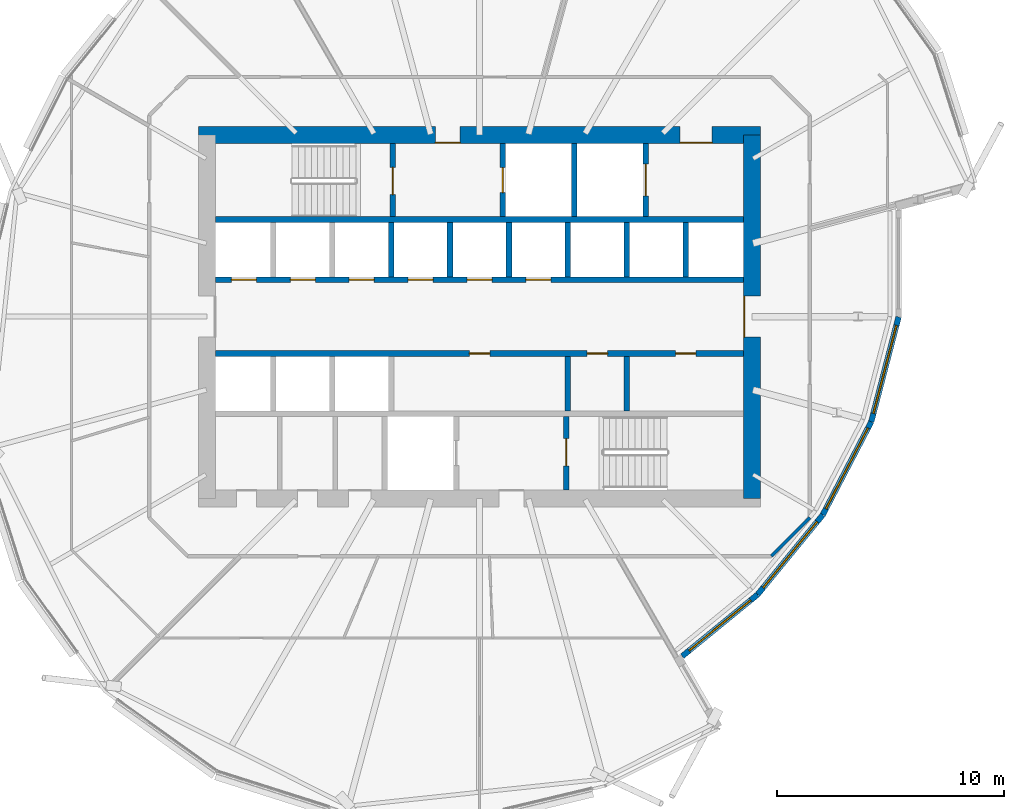
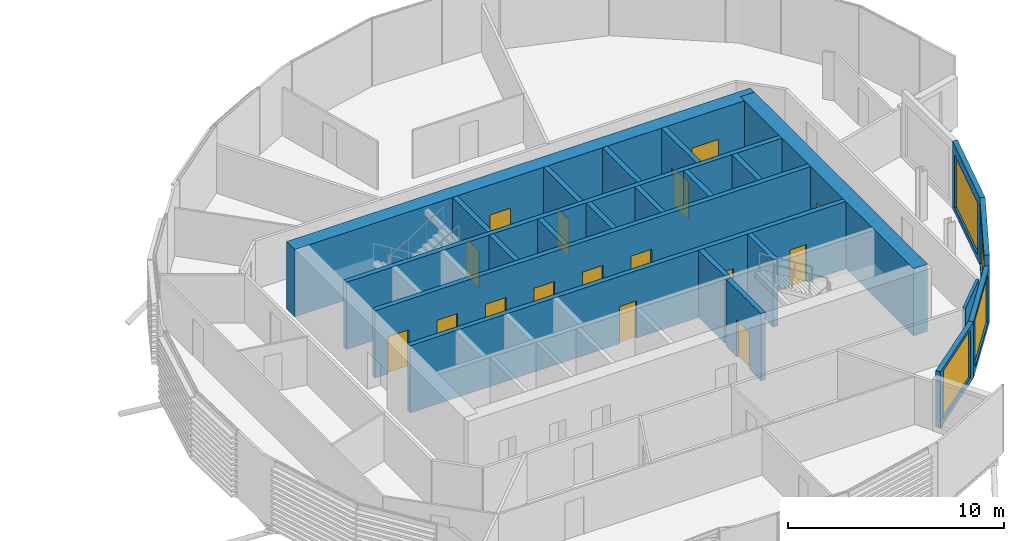
# One storey, part 25 of 39: 23 walls, 16 doors, 4 windows, 20 openings.
"""IFC4 building model written with IfcOpenShell, lengths in metres."""

import ifcopenshell
import ifcopenshell.guid

model = None  # the IFC model being written
_history = None  # IfcOwnerHistory: only IFC2X3 demands one
_inside = {}  # id of a spatial element -> (the spatial element, [elements in it])
_under = {}  # id of a project, library or spatial element -> (it, [spatial elements below it])
_declared = {}  # id of a project -> (the project, [libraries it declares])
_typed = {}  # id of a type object -> (the type object, [elements of that type])
_made_of = {}  # id of a material, layer set ... -> (it, [elements and type objects made of it])


def new_model(schema):
    """Start an empty IFC model of exactly this schema.

    Asked for "IFC4X3", IfcOpenShell would pick the latest addendum, in which some entities
    have other attributes; the version numbers below select the first issue.
    IFC2X3 requires an IfcOwnerHistory on every rooted entity: one is made here for all.
    """
    global model, _history
    if schema == "IFC4X3":
        model = ifcopenshell.file(schema_version=(4, 3, 0, 0))
    else:
        model = ifcopenshell.file(schema=schema)
    _inside.clear()
    _under.clear()
    _declared.clear()
    _typed.clear()
    _made_of.clear()
    _history = None
    if model.schema == "IFC2X3":
        org = make("IfcOrganization", Name="unknown")
        user = make(
            "IfcPersonAndOrganization",
            ThePerson=make("IfcPerson", FamilyName="unknown"),
            TheOrganization=org,
        )
        app = make(
            "IfcApplication",
            ApplicationDeveloper=org,
            Version="unknown",
            ApplicationFullName="unknown",
            ApplicationIdentifier="unknown",
        )
        _history = make(
            "IfcOwnerHistory",
            OwningUser=user,
            OwningApplication=app,
            ChangeAction="ADDED",
            CreationDate=0,
        )
    return model


def make(cls, **values):
    """One entity of the class cls with the attributes given. An attribute that is None is left unset."""
    return model.create_entity(
        cls, **{name: value for name, value in values.items() if value is not None}
    )


def rooted(cls, **values):
    """An entity with a GlobalId (a new one), such as an element, a storey or a relation."""
    return make(cls, GlobalId=ifcopenshell.guid.new(), OwnerHistory=_history, **values)


def si_unit(unit_type, name, prefix=None):
    """IfcSIUnit, for example si_unit("LENGTHUNIT", "METRE", prefix="MILLI")."""
    return make("IfcSIUnit", UnitType=unit_type, Prefix=prefix, Name=name)


def assignment(units):
    """IfcUnitAssignment: the units of a project."""
    return None if units is None else make("IfcUnitAssignment", Units=units)


def point(xyz):
    """IfcCartesianPoint."""
    return None if xyz is None else make("IfcCartesianPoint", Coordinates=xyz)


def direction(xyz):
    """IfcDirection."""
    return None if xyz is None else make("IfcDirection", DirectionRatios=xyz)


def frame(location, z_axis=None, x_axis=None):
    """IfcAxis2Placement3D, a coordinate frame: its origin and axes. An axis left out is left unset."""
    return make(
        "IfcAxis2Placement3D",
        Location=point(location),
        Axis=direction(z_axis),
        RefDirection=direction(x_axis),
    )


def frame_2d(location, x_axis=None):
    """IfcAxis2Placement2D, a coordinate frame in the plane: its origin and x axis."""
    return make(
        "IfcAxis2Placement2D", Location=point(location), RefDirection=direction(x_axis)
    )


def origin():
    """The frame at (0, 0, 0) with its axes left unset."""
    return frame((0.0, 0.0, 0.0))


def place(relative_to, where):
    """IfcLocalPlacement: puts the frame where relative to a parent placement (None: the world)."""
    return make(
        "IfcLocalPlacement", PlacementRelTo=relative_to, RelativePlacement=where
    )


def context(
    kind, dimensions, precision=None, world=None, true_north=None, identifier=None
):
    """IfcGeometricRepresentationContext, for example the 3D "Model" context."""
    return make(
        "IfcGeometricRepresentationContext",
        ContextIdentifier=identifier,
        ContextType=kind,
        CoordinateSpaceDimension=dimensions,
        Precision=precision,
        WorldCoordinateSystem=world,
        TrueNorth=true_north,
    )


def subcontext(parent, identifier, kind, view, scale=None):
    """IfcGeometricRepresentationSubContext, for example "Body" below "Model"."""
    return make(
        "IfcGeometricRepresentationSubContext",
        ContextIdentifier=identifier,
        ContextType=kind,
        ParentContext=parent,
        TargetScale=scale,
        TargetView=view,
    )


def project(units=None, contexts=None):
    """IfcProject with its units and contexts."""
    return rooted(
        "IfcProject",
        Name="project",
        RepresentationContexts=contexts,
        UnitsInContext=assignment(units),
    )


def spatial(cls, under=None, at=None, **own):
    """A site, building, storey or space (cls), placed at a placement, below another one or the project."""
    s = rooted(cls, ObjectPlacement=at, **own)
    if under is not None:
        _under.setdefault(under.id(), (under, []))[1].append(s)
    return s


def profile(cls, at=None, kind="AREA", **sizes):
    """A parametric profile (cls). Its sizes go by their IFC names, for example OverallWidth=200.0."""
    return make(cls, ProfileType=kind, Position=at, **sizes)


def rectangle(**sizes):
    """IfcRectangleProfileDef."""
    return profile("IfcRectangleProfileDef", **sizes)


def extrude(swept, where, along, depth):
    """IfcExtrudedAreaSolid: the profile swept, set in the frame where, extruded along a direction by depth."""
    return make(
        "IfcExtrudedAreaSolid",
        SweptArea=swept,
        Position=where,
        ExtrudedDirection=direction(along),
        Depth=depth,
    )


def shape(context_of_items, identifier, shape_type, items):
    """IfcShapeRepresentation: the items that make up one representation, for example the "Body"."""
    return make(
        "IfcShapeRepresentation",
        ContextOfItems=context_of_items,
        RepresentationIdentifier=identifier,
        RepresentationType=shape_type,
        Items=items,
    )


def material(Name=None, Category=None):
    """IfcMaterial."""
    return make("IfcMaterial", Name=Name, Category=Category)


def layer(
    of_material, thickness, ventilated=None, Name=None, Category=None, Priority=None
):
    """IfcMaterialLayer: one layer of a wall or slab, of a material (None: an air gap)."""
    return make(
        "IfcMaterialLayer",
        Material=of_material,
        LayerThickness=thickness,
        IsVentilated=ventilated,
        Name=Name,
        Category=Category,
        Priority=Priority,
    )


def layer_set(layers, Name=None):
    """IfcMaterialLayerSet."""
    return make("IfcMaterialLayerSet", MaterialLayers=layers, LayerSetName=Name)


def made_of(thing, what):
    """Note that an element or type object is made of a material, layer set ...; save() writes the relation."""
    if what is not None:
        _made_of.setdefault(what.id(), (what, []))[1].append(thing)
    return thing


def type_object(cls, material=None, **own):
    """A type object (cls), such as IfcWallType, which elements share."""
    return made_of(rooted(cls, **own), material)


def element(
    cls,
    number,
    at=None,
    inside=None,
    cuts=None,
    type_object=None,
    material=None,
    context=None,
    identifier="Body",
    shape_type=None,
    held_by="IfcProductDefinitionShape",
    body=None,
    shapes=None,
    **own,
):
    """One element of the class cls, such as IfcWall. Its Tag is "e" and its number.

    at: its placement. inside: the storey or other place that contains it. cuts: it is an
    opening in that element (IfcRelVoidsElement). A single representation is given by context,
    identifier, shape_type and body (its items); several are given by shapes. held_by: the class
    of the entity that holds the representations. save() writes the other relations.
    """
    e = rooted(cls, Tag="e%d" % number, ObjectPlacement=at, **own)
    if body is not None:
        shapes = [shape(context, identifier, shape_type, body)]
    if shapes is not None:
        e.Representation = make(held_by, Representations=shapes)
    if inside is not None:
        _inside.setdefault(inside.id(), (inside, []))[1].append(e)
    if cuts is not None:
        rooted(
            "IfcRelVoidsElement", RelatingBuildingElement=cuts, RelatedOpeningElement=e
        )
    if type_object is not None:
        _typed.setdefault(type_object.id(), (type_object, []))[1].append(e)
    return made_of(e, material)


def fill(opening, filler):
    """IfcRelFillsElement: the door or window that sits in an opening."""
    return rooted(
        "IfcRelFillsElement",
        RelatingOpeningElement=opening,
        RelatedBuildingElement=filler,
    )


def aggregate(whole, parts):
    """IfcRelAggregates: a whole, such as a stair, and the parts it consists of."""
    return rooted("IfcRelAggregates", RelatingObject=whole, RelatedObjects=parts)


def save(model, path):
    """Write the relations noted so far, then the file.

    IfcRelAggregates (storeys below a building ...), IfcRelContainedInSpatialStructure (elements
    in a storey), IfcRelDefinesByType, IfcRelAssociatesMaterial and IfcRelDeclares: one each for
    every whole, place, type object, material and project.
    """
    for whole, parts in _under.values():
        aggregate(whole, parts)
    for where, things in _inside.values():
        rooted(
            "IfcRelContainedInSpatialStructure",
            RelatedElements=things,
            RelatingStructure=where,
        )
    for kind, things in _typed.values():
        rooted("IfcRelDefinesByType", RelatedObjects=things, RelatingType=kind)
    for what, things in _made_of.values():
        rooted("IfcRelAssociatesMaterial", RelatedObjects=things, RelatingMaterial=what)
    for by, libraries in _declared.values():
        rooted("IfcRelDeclares", RelatingContext=by, RelatedDefinitions=libraries)
    model.write(path)


model = new_model("IFC4")

# Units and contexts
model_context = context("Model", 3, precision=1e-05, world=origin(), true_north=direction((0.0, 1.0)))
body_context = subcontext(model_context, "Body", "Model", "MODEL_VIEW")
ifc_project = project(units=[si_unit("LENGTHUNIT", "METRE"), si_unit("AREAUNIT", "SQUARE_METRE"), si_unit("VOLUMEUNIT", "CUBIC_METRE"), si_unit("PLANEANGLEUNIT", "RADIAN"), si_unit("MASSUNIT", "GRAM", prefix="KILO")], contexts=[model_context])

# Site, building, storey
site_placement = place(None, origin())
site = spatial("IfcSite", under=ifc_project, at=site_placement, CompositionType="ELEMENT")
building_placement = place(site_placement, origin())
building = spatial("IfcBuilding", under=site, at=building_placement, Name="Rimbun Link Towers", CompositionType="ELEMENT")
storey_placement = place(building_placement, frame((0.0, 0.0, 112.0)))
storey = spatial("IfcBuildingStorey", under=building, at=storey_placement, Name="L27", CompositionType="ELEMENT", Elevation=112.0)

# Wall, opening, window
ifc_material_1 = material(Name="Dark enamelled glass spandrel on insulated aluminium backpan", Category="aluminium")
ifc_layer_1 = layer(ifc_material_1, 0.25)
ifc_layer_set_1 = layer_set([ifc_layer_1], Name="CS dark enamelled spandrel wall 250")
wall_type_1 = type_object("IfcWallType", Name="CS dark enamelled spandrel wall 250", PredefinedType="STANDARD", material=ifc_layer_set_1)
wall_1_placement = place(storey_placement, frame((43.99267578125, -12.24267578125, 0.0), z_axis=(0.0, 0.0, 1.0), x_axis=(-0.773876104607, -0.633337015117, 0.0)))
wall_1 = element("IfcWall", 1, at=wall_1_placement, inside=storey, type_object=wall_type_1, Name="Crease spandrel wall", PredefinedType="STANDARD", context=body_context, shape_type="SweptSolid", body=[
    extrude(rectangle(XDim=4.287353515625, YDim=0.25, at=frame_2d((2.1435546875, 0.0))), origin(), (0.0, 0.0, 1.0), 3.176513671875),
])
opening_1_placement = place(wall_1_placement, frame((0.393798828125, 0.0, 0.300048828125)))
opening_1 = element("IfcOpeningElement", 2, at=opening_1_placement, cuts=wall_1, Name="Opening WR35H270", PredefinedType="OPENING", context=body_context, shape_type="SweptSolid", body=[
    extrude(rectangle(XDim=3.5, YDim=2.699951171875, at=frame_2d((1.75, 1.35009765625))), frame((0.0, 0.135009765625, 0.0), z_axis=(0.0, -1.0, 0.0), x_axis=(1.0, 0.0, 0.0)), (0.0, 0.0, 1.0), 0.27001953125),
])
ifc_material_2 = material(Name="Aluminium framed fixed window, dark tinted low-e glass", Category="aluminium")
window_type_1 = type_object("IfcWindowType", Name="WR ribbon window 3500X2700", PartitioningType="SINGLE_PANEL", PredefinedType="WINDOW", material=ifc_material_2)
window_1_placement = place(opening_1_placement, origin())
window_1 = element("IfcWindow", 3, at=window_1_placement, inside=storey, type_object=window_type_1, Name="Crease ribbon window", OverallHeight=2.699951171875, OverallWidth=3.5, PartitioningType="SINGLE_PANEL", PredefinedType="WINDOW", context=body_context, shape_type="SweptSolid", body=[
    extrude(rectangle(XDim=3.5, YDim=2.699951171875, at=frame_2d((1.75, 1.35009765625))), frame((0.0, 0.030029296875, 0.0), z_axis=(0.0, -1.0, 0.0), x_axis=(1.0, 0.0, 0.0)), (0.0, 0.0, 1.0), 0.06005859375),
])
fill(opening_1, window_1)

wall_2_placement = place(storey_placement, frame((46.86376953125, -8.734619140625, 0.0), z_axis=(0.0, 0.0, 1.0), x_axis=(-0.6333521617, -0.773863708459, 0.0)))
wall_2 = element("IfcWall", 4, at=wall_2_placement, inside=storey, type_object=wall_type_1, Name="Crease spandrel wall", PredefinedType="STANDARD", context=body_context, shape_type="SweptSolid", body=[
    extrude(rectangle(XDim=4.533203125, YDim=0.25, at=frame_2d((2.2666015625, 0.0))), origin(), (0.0, 0.0, 1.0), 3.176513671875),
])
opening_2_placement = place(wall_2_placement, frame((0.3916015625, 0.0, 0.300048828125)))
opening_2 = element("IfcOpeningElement", 5, at=opening_2_placement, cuts=wall_2, Name="Opening WR38H270", PredefinedType="OPENING", context=body_context, shape_type="SweptSolid", body=[
    extrude(rectangle(XDim=3.75, YDim=2.699951171875, at=frame_2d((1.875, 1.35009765625))), frame((0.0, 0.135009765625, 0.0), z_axis=(0.0, -1.0, 0.0), x_axis=(1.0, 0.0, 0.0)), (0.0, 0.0, 1.0), 0.27001953125),
])
ifc_material_3 = material(Name="Aluminium framed fixed window, dark tinted low-e glass", Category="aluminium")
window_type_2 = type_object("IfcWindowType", Name="WR ribbon window 3750X2700", PartitioningType="SINGLE_PANEL", PredefinedType="WINDOW", material=ifc_material_3)
window_2_placement = place(opening_2_placement, origin())
window_2 = element("IfcWindow", 6, at=window_2_placement, inside=storey, type_object=window_type_2, Name="Crease ribbon window", OverallHeight=2.699951171875, OverallWidth=3.75, PartitioningType="SINGLE_PANEL", PredefinedType="WINDOW", context=body_context, shape_type="SweptSolid", body=[
    extrude(rectangle(XDim=3.75, YDim=2.699951171875, at=frame_2d((1.875, 1.35009765625))), frame((0.0, 0.030029296875, 0.0), z_axis=(0.0, -1.0, 0.0), x_axis=(1.0, 0.0, 0.0)), (0.0, 0.0, 1.0), 0.06005859375),
])
fill(opening_2, window_2)

wall_3_placement = place(storey_placement, frame((48.9990234375, -4.6357421875, 0.0), z_axis=(0.0, 0.0, 1.0), x_axis=(-0.462006269237, -0.886876658384, 0.0)))
wall_3 = element("IfcWall", 7, at=wall_3_placement, inside=storey, type_object=wall_type_1, Name="Crease spandrel wall", PredefinedType="STANDARD", context=body_context, shape_type="SweptSolid", body=[
    extrude(rectangle(XDim=4.62158203125, YDim=0.25, at=frame_2d((2.310791015625, 0.0))), origin(), (0.0, 0.0, 1.0), 3.800048828125),
])
opening_3_placement = place(wall_3_placement, frame((0.310791015625, 0.0, 0.300048828125)))
opening_3 = element("IfcOpeningElement", 8, at=opening_3_placement, cuts=wall_3, Name="Opening WR40H295", PredefinedType="OPENING", context=body_context, shape_type="SweptSolid", body=[
    extrude(rectangle(XDim=4.0, YDim=2.949951171875, at=frame_2d((2.0, 1.47509765625))), frame((0.0, 0.135009765625, 0.0), z_axis=(0.0, -1.0, 0.0), x_axis=(1.0, 0.0, 0.0)), (0.0, 0.0, 1.0), 0.27001953125),
])
ifc_material_4 = material(Name="Aluminium framed fixed window, dark tinted low-e glass", Category="aluminium")
window_type_3 = type_object("IfcWindowType", Name="WR ribbon window 4000X2950", PartitioningType="SINGLE_PANEL", PredefinedType="WINDOW", material=ifc_material_4)
window_3_placement = place(opening_3_placement, origin())
window_3 = element("IfcWindow", 9, at=window_3_placement, inside=storey, type_object=window_type_3, Name="Crease ribbon window", OverallHeight=2.949951171875, OverallWidth=4.0, PartitioningType="SINGLE_PANEL", PredefinedType="WINDOW", context=body_context, shape_type="SweptSolid", body=[
    extrude(rectangle(XDim=4.0, YDim=2.949951171875, at=frame_2d((2.0, 1.47509765625))), frame((0.0, 0.030029296875, 0.0), z_axis=(0.0, -1.0, 0.0), x_axis=(1.0, 0.0, 0.0)), (0.0, 0.0, 1.0), 0.06005859375),
])
fill(opening_3, window_3)

wall_4_placement = place(storey_placement, frame((50.20458984375, -0.01611328125, 0.0), z_axis=(0.0, 0.0, 1.0), x_axis=(-0.252509325017, -0.967594460908, 0.0)))
wall_4 = element("IfcWall", 10, at=wall_4_placement, inside=storey, type_object=wall_type_1, Name="Crease spandrel wall", PredefinedType="STANDARD", context=body_context, shape_type="SweptSolid", body=[
    extrude(rectangle(XDim=4.7744140625, YDim=0.25, at=frame_2d((2.38720703125, 0.0))), origin(), (0.0, 0.0, 1.0), 3.800048828125),
])
opening_4_placement = place(wall_4_placement, frame((0.38720703125, 0.0, 0.300048828125)))
opening_4 = element("IfcOpeningElement", 11, at=opening_4_placement, cuts=wall_4, Name="Opening WR40H295", PredefinedType="OPENING", context=body_context, shape_type="SweptSolid", body=[
    extrude(rectangle(XDim=4.0, YDim=2.949951171875, at=frame_2d((2.0, 1.47509765625))), frame((0.0, 0.135009765625, 0.0), z_axis=(0.0, -1.0, 0.0), x_axis=(1.0, 0.0, 0.0)), (0.0, 0.0, 1.0), 0.27001953125),
])
window_4_placement = place(opening_4_placement, origin())
window_4 = element("IfcWindow", 12, at=window_4_placement, inside=storey, type_object=window_type_3, Name="Crease ribbon window", OverallHeight=2.949951171875, OverallWidth=4.0, PartitioningType="SINGLE_PANEL", PredefinedType="WINDOW", context=body_context, shape_type="SweptSolid", body=[
    extrude(rectangle(XDim=4.0, YDim=2.949951171875, at=frame_2d((2.0, 1.47509765625))), frame((0.0, 0.030029296875, 0.0), z_axis=(0.0, -1.0, 0.0), x_axis=(1.0, 0.0, 0.0)), (0.0, 0.0, 1.0), 0.06005859375),
])
fill(opening_4, window_4)

# Wall, openings, doors
ifc_material_5 = material(Name="Concrete C60/75", Category="concrete")
ifc_layer_2 = layer(ifc_material_5, 0.75)
ifc_layer_set_2 = layer_set([ifc_layer_2], Name="Core shear wall 750")
wall_type_2 = type_object("IfcWallType", Name="Core shear wall 750", PredefinedType="SHEAR", material=ifc_layer_set_2)
wall_5_placement = place(storey_placement, frame((19.375, 8.0, 0.0), z_axis=(0.0, 0.0, 1.0), x_axis=(1.0, 0.0, 0.0)))
wall_5 = element("IfcWall", 13, at=wall_5_placement, inside=storey, type_object=wall_type_2, Name="L27 T2 core wall N", PredefinedType="SHEAR", context=body_context, shape_type="SweptSolid", body=[
    extrude(rectangle(XDim=24.75, YDim=0.75, at=frame_2d((12.375, 0.0))), origin(), (0.0, 0.0, 1.0), 3.800048828125),
])
opening_5_placement = place(wall_5_placement, frame((10.425048828125, 0.0, 0.0)))
opening_5 = element("IfcOpeningElement", 14, at=opening_5_placement, cuts=wall_5, Name="Opening C2DCF01N", PredefinedType="OPENING", context=body_context, shape_type="SweptSolid", body=[
    extrude(rectangle(XDim=1.10009765625, YDim=2.10009765625, at=frame_2d((0.550048828125, 1.050048828125))), frame((0.0, 0.385009765625, 0.0), z_axis=(0.0, -1.0, 0.0), x_axis=(1.0, 0.0, 0.0)), (0.0, 0.0, 1.0), 0.77001953125),
])
opening_6_placement = place(wall_5_placement, frame((21.21240234375, 0.0, 0.0)))
opening_6 = element("IfcOpeningElement", 15, at=opening_6_placement, cuts=wall_5, Name="Opening C2DSL02N", PredefinedType="OPENING", context=body_context, shape_type="SweptSolid", body=[
    extrude(rectangle(XDim=1.39990234375, YDim=2.10009765625, at=frame_2d((0.699951171875, 1.050048828125))), frame((0.0, 0.385009765625, 0.0), z_axis=(0.0, -1.0, 0.0), x_axis=(1.0, 0.0, 0.0)), (0.0, 0.0, 1.0), 0.77001953125),
])
ifc_material_6 = material(Name="Steel fire door set", Category="steel")
door_type_1 = type_object("IfcDoorType", Name="Core fire door single", OperationType="SINGLE_SWING_LEFT", PredefinedType="DOOR", material=ifc_material_6)
door_1_placement = place(opening_5_placement, origin())
door_1 = element("IfcDoor", 16, at=door_1_placement, inside=storey, type_object=door_type_1, Name="L27 T2 firefighting lobby n door", OperationType="SINGLE_SWING_LEFT", OverallHeight=2.10009765625, OverallWidth=1.10009765625, PredefinedType="DOOR", context=body_context, shape_type="SweptSolid", body=[
    extrude(rectangle(XDim=1.10009765625, YDim=2.10009765625, at=frame_2d((0.550048828125, 1.050048828125))), frame((0.0, -0.3251953125, 0.0), z_axis=(0.0, -1.0, 0.0), x_axis=(1.0, 0.0, 0.0)), (0.0, 0.0, 1.0), 0.050048828125),
])
fill(opening_5, door_1)
ifc_material_7 = material(Name="Steel fire door set", Category="steel")
door_type_2 = type_object("IfcDoorType", Name="Service lobby door double", OperationType="DOUBLE_DOOR_SINGLE_SWING", PredefinedType="DOOR", material=ifc_material_7)
door_2_placement = place(opening_6_placement, origin())
door_2 = element("IfcDoor", 17, at=door_2_placement, inside=storey, type_object=door_type_2, Name="L27 T2 service lobby door", OperationType="DOUBLE_DOOR_SINGLE_SWING", OverallHeight=2.10009765625, OverallWidth=1.39990234375, PredefinedType="DOOR", context=body_context, shape_type="SweptSolid", body=[
    extrude(rectangle(XDim=1.39990234375, YDim=2.10009765625, at=frame_2d((0.699951171875, 1.050048828125))), frame((0.0, -0.3251953125, 0.0), z_axis=(0.0, -1.0, 0.0), x_axis=(1.0, 0.0, 0.0)), (0.0, 0.0, 1.0), 0.050048828125),
])
fill(opening_6, door_2)

# Wall, opening, door
wall_6_placement = place(storey_placement, frame((43.75, -8.0, 0.0), z_axis=(0.0, 0.0, 1.0), x_axis=(0.0, 1.0, 0.0)))
wall_6 = element("IfcWall", 18, at=wall_6_placement, inside=storey, type_object=wall_type_2, Name="L27 T2 core wall E", PredefinedType="SHEAR", context=body_context, shape_type="SweptSolid", body=[
    extrude(rectangle(XDim=16.0, YDim=0.75, at=frame_2d((8.0, 0.0))), origin(), (0.0, 0.0, 1.0), 3.800048828125),
])
opening_7_placement = place(wall_6_placement, frame((7.10009765625, 0.0, 0.0)))
opening_7 = element("IfcOpeningElement", 19, at=opening_7_placement, cuts=wall_6, Name="Opening C2DCL01E", PredefinedType="OPENING", context=body_context, shape_type="SweptSolid", body=[
    extrude(rectangle(XDim=1.800048828125, YDim=2.10009765625, at=frame_2d((0.89990234375, 1.050048828125))), frame((0.0, 0.385009765625, 0.0), z_axis=(0.0, -1.0, 0.0), x_axis=(1.0, 0.0, 0.0)), (0.0, 0.0, 1.0), 0.77001953125),
])
ifc_material_8 = material(Name="Steel fire door set", Category="steel")
door_type_3 = type_object("IfcDoorType", Name="Core lobby door double", OperationType="DOUBLE_DOOR_SINGLE_SWING", PredefinedType="DOOR", material=ifc_material_8)
door_3_placement = place(opening_7_placement, origin())
door_3 = element("IfcDoor", 20, at=door_3_placement, inside=storey, type_object=door_type_3, Name="L27 T2 lift lobby door", OperationType="DOUBLE_DOOR_SINGLE_SWING", OverallHeight=2.10009765625, OverallWidth=1.800048828125, PredefinedType="DOOR", context=body_context, shape_type="SweptSolid", body=[
    extrude(rectangle(XDim=1.800048828125, YDim=2.10009765625, at=frame_2d((0.89990234375, 1.050048828125))), frame((0.0, 0.375, 0.0), z_axis=(0.0, -1.0, 0.0), x_axis=(1.0, 0.0, 0.0)), (0.0, 0.0, 1.0), 0.050048828125),
])
fill(opening_7, door_3)

# Walls
ifc_material_9 = material(Name="Plasterboard on steel stud, mineral wool", Category="steel")
ifc_layer_3 = layer(ifc_material_9, 0.14990234375)
ifc_layer_set_3 = layer_set([ifc_layer_3], Name="Corridor wall EI 30 150 mm")
wall_type_3 = type_object("IfcWallType", Name="Corridor wall EI 30 150 mm", PredefinedType="PARTITIONING", material=ifc_layer_set_3)
wall_7_placement = place(storey_placement, frame((44.601806640625, -10.550048828125, 0.0), z_axis=(0.0, 0.0, 1.0), x_axis=(0.707106781187, 0.707106781187, 0.0)))
element("IfcWall", 21, at=wall_7_placement, inside=storey, type_object=wall_type_3, Name="Corridor wall EI 30 150 mm", PredefinedType="PARTITIONING", context=body_context, shape_type="SweptSolid", body=[
    extrude(rectangle(XDim=2.401611328125, YDim=0.14990234375, at=frame_2d((1.20068359375, 0.0))), origin(), (0.0, 0.0, 1.0), 2.701904296875),
])
ifc_material_10 = material(Name="Concrete C60/75", Category="concrete")
ifc_layer_4 = layer(ifc_material_10, 0.25)
ifc_layer_set_4 = layer_set([ifc_layer_4], Name="Shaft wall 250")
wall_type_4 = type_object("IfcWallType", Name="Shaft wall 250", PredefinedType="SHEAR", material=ifc_layer_set_4)
wall_8_placement = place(storey_placement, frame((20.125, 4.27490234375, 0.0), z_axis=(0.0, 0.0, 1.0), x_axis=(1.0, 0.0, 0.0)))
element("IfcWall", 22, at=wall_8_placement, inside=storey, type_object=wall_type_4, Name="L27 T2 core wall BN", PredefinedType="SHEAR", context=body_context, shape_type="SweptSolid", body=[
    extrude(rectangle(XDim=23.25, YDim=0.25, at=frame_2d((11.625, 0.0))), origin(), (0.0, 0.0, 1.0), 3.800048828125),
])

# Wall, openings, doors
wall_9_placement = place(storey_placement, frame((20.125, 1.625, 0.0), z_axis=(0.0, 0.0, 1.0), x_axis=(1.0, 0.0, 0.0)))
wall_9 = element("IfcWall", 23, at=wall_9_placement, inside=storey, type_object=wall_type_4, Name="L27 T2 core wall FN", PredefinedType="SHEAR", context=body_context, shape_type="SweptSolid", body=[
    extrude(rectangle(XDim=23.25, YDim=0.25, at=frame_2d((11.625, 0.0))), origin(), (0.0, 0.0, 1.0), 3.800048828125),
])
opening_8_placement = place(wall_9_placement, frame((0.697265625, 0.0, 0.0)))
opening_8 = element("IfcOpeningElement", 24, at=opening_8_placement, cuts=wall_9, Name="Opening LD-T2-LR1", PredefinedType="OPENING", context=body_context, shape_type="SweptSolid", body=[
    extrude(rectangle(XDim=1.10009765625, YDim=2.10009765625, at=frame_2d((0.550048828125, 1.050048828125))), frame((0.0, 0.135009765625, 0.0), z_axis=(0.0, -1.0, 0.0), x_axis=(1.0, 0.0, 0.0)), (0.0, 0.0, 1.0), 0.27001953125),
])
opening_9_placement = place(wall_9_placement, frame((3.291748046875, 0.0, 0.0)))
opening_9 = element("IfcOpeningElement", 25, at=opening_9_placement, cuts=wall_9, Name="Opening LD-T2-LR2", PredefinedType="OPENING", context=body_context, shape_type="SweptSolid", body=[
    extrude(rectangle(XDim=1.10009765625, YDim=2.10009765625, at=frame_2d((0.550048828125, 1.050048828125))), frame((0.0, 0.135009765625, 0.0), z_axis=(0.0, -1.0, 0.0), x_axis=(1.0, 0.0, 0.0)), (0.0, 0.0, 1.0), 0.27001953125),
])
opening_10_placement = place(wall_9_placement, frame((5.885986328125, 0.0, 0.0)))
opening_10 = element("IfcOpeningElement", 26, at=opening_10_placement, cuts=wall_9, Name="Opening LD-T2-LR3", PredefinedType="OPENING", context=body_context, shape_type="SweptSolid", body=[
    extrude(rectangle(XDim=1.10009765625, YDim=2.10009765625, at=frame_2d((0.550048828125, 1.050048828125))), frame((0.0, 0.135009765625, 0.0), z_axis=(0.0, -1.0, 0.0), x_axis=(1.0, 0.0, 0.0)), (0.0, 0.0, 1.0), 0.27001953125),
])
opening_11_placement = place(wall_9_placement, frame((8.480712890625, 0.0, 0.0)))
opening_11 = element("IfcOpeningElement", 27, at=opening_11_placement, cuts=wall_9, Name="Opening LD-T2-LR4", PredefinedType="OPENING", context=body_context, shape_type="SweptSolid", body=[
    extrude(rectangle(XDim=1.10009765625, YDim=2.10009765625, at=frame_2d((0.550048828125, 1.050048828125))), frame((0.0, 0.135009765625, 0.0), z_axis=(0.0, -1.0, 0.0), x_axis=(1.0, 0.0, 0.0)), (0.0, 0.0, 1.0), 0.27001953125),
])
opening_12_placement = place(wall_9_placement, frame((11.074951171875, 0.0, 0.0)))
opening_12 = element("IfcOpeningElement", 28, at=opening_12_placement, cuts=wall_9, Name="Opening LD-T2-LR5", PredefinedType="OPENING", context=body_context, shape_type="SweptSolid", body=[
    extrude(rectangle(XDim=1.10009765625, YDim=2.10009765625, at=frame_2d((0.550048828125, 1.050048828125))), frame((0.0, 0.135009765625, 0.0), z_axis=(0.0, -1.0, 0.0), x_axis=(1.0, 0.0, 0.0)), (0.0, 0.0, 1.0), 0.27001953125),
])
opening_13_placement = place(wall_9_placement, frame((13.66943359375, 0.0, 0.0)))
opening_13 = element("IfcOpeningElement", 29, at=opening_13_placement, cuts=wall_9, Name="Opening LD-T2-LR6", PredefinedType="OPENING", context=body_context, shape_type="SweptSolid", body=[
    extrude(rectangle(XDim=1.10009765625, YDim=2.10009765625, at=frame_2d((0.550048828125, 1.050048828125))), frame((0.0, 0.135009765625, 0.0), z_axis=(0.0, -1.0, 0.0), x_axis=(1.0, 0.0, 0.0)), (0.0, 0.0, 1.0), 0.27001953125),
])
ifc_material_11 = material(Name="Stainless steel grade 316", Category="steel")
door_type_4 = type_object("IfcDoorType", Name="Lift landing door", OperationType="DOUBLE_DOOR_SLIDING", PredefinedType="DOOR", material=ifc_material_11)
door_4_placement = place(opening_8_placement, origin())
door_4 = element("IfcDoor", 30, at=door_4_placement, inside=storey, type_object=door_type_4, Name="L27 T2 lift LR1 landing door", OperationType="DOUBLE_DOOR_SLIDING", OverallHeight=2.10009765625, OverallWidth=1.10009765625, PredefinedType="DOOR", context=body_context, shape_type="SweptSolid", body=[
    extrude(rectangle(XDim=1.10009765625, YDim=2.10009765625, at=frame_2d((0.550048828125, 1.050048828125))), frame((0.0, 0.02490234375, 0.0), z_axis=(0.0, -1.0, 0.0), x_axis=(1.0, 0.0, 0.0)), (0.0, 0.0, 1.0), 0.050048828125),
])
fill(opening_8, door_4)
door_5_placement = place(opening_9_placement, origin())
door_5 = element("IfcDoor", 31, at=door_5_placement, inside=storey, type_object=door_type_4, Name="L27 T2 lift LR2 landing door", OperationType="DOUBLE_DOOR_SLIDING", OverallHeight=2.10009765625, OverallWidth=1.10009765625, PredefinedType="DOOR", context=body_context, shape_type="SweptSolid", body=[
    extrude(rectangle(XDim=1.10009765625, YDim=2.10009765625, at=frame_2d((0.550048828125, 1.050048828125))), frame((0.0, 0.02490234375, 0.0), z_axis=(0.0, -1.0, 0.0), x_axis=(1.0, 0.0, 0.0)), (0.0, 0.0, 1.0), 0.050048828125),
])
fill(opening_9, door_5)
door_6_placement = place(opening_10_placement, origin())
door_6 = element("IfcDoor", 32, at=door_6_placement, inside=storey, type_object=door_type_4, Name="L27 T2 lift LR3 landing door", OperationType="DOUBLE_DOOR_SLIDING", OverallHeight=2.10009765625, OverallWidth=1.10009765625, PredefinedType="DOOR", context=body_context, shape_type="SweptSolid", body=[
    extrude(rectangle(XDim=1.10009765625, YDim=2.10009765625, at=frame_2d((0.550048828125, 1.050048828125))), frame((0.0, 0.02490234375, 0.0), z_axis=(0.0, -1.0, 0.0), x_axis=(1.0, 0.0, 0.0)), (0.0, 0.0, 1.0), 0.050048828125),
])
fill(opening_10, door_6)
door_7_placement = place(opening_11_placement, origin())
door_7 = element("IfcDoor", 33, at=door_7_placement, inside=storey, type_object=door_type_4, Name="L27 T2 lift LR4 landing door", OperationType="DOUBLE_DOOR_SLIDING", OverallHeight=2.10009765625, OverallWidth=1.10009765625, PredefinedType="DOOR", context=body_context, shape_type="SweptSolid", body=[
    extrude(rectangle(XDim=1.10009765625, YDim=2.10009765625, at=frame_2d((0.550048828125, 1.050048828125))), frame((0.0, 0.02490234375, 0.0), z_axis=(0.0, -1.0, 0.0), x_axis=(1.0, 0.0, 0.0)), (0.0, 0.0, 1.0), 0.050048828125),
])
fill(opening_11, door_7)
door_8_placement = place(opening_12_placement, origin())
door_8 = element("IfcDoor", 34, at=door_8_placement, inside=storey, type_object=door_type_4, Name="L27 T2 lift LR5 landing door", OperationType="DOUBLE_DOOR_SLIDING", OverallHeight=2.10009765625, OverallWidth=1.10009765625, PredefinedType="DOOR", context=body_context, shape_type="SweptSolid", body=[
    extrude(rectangle(XDim=1.10009765625, YDim=2.10009765625, at=frame_2d((0.550048828125, 1.050048828125))), frame((0.0, 0.02490234375, 0.0), z_axis=(0.0, -1.0, 0.0), x_axis=(1.0, 0.0, 0.0)), (0.0, 0.0, 1.0), 0.050048828125),
])
fill(opening_12, door_8)
door_9_placement = place(opening_13_placement, origin())
door_9 = element("IfcDoor", 35, at=door_9_placement, inside=storey, type_object=door_type_4, Name="L27 T2 lift LR6 landing door", OperationType="DOUBLE_DOOR_SLIDING", OverallHeight=2.10009765625, OverallWidth=1.10009765625, PredefinedType="DOOR", context=body_context, shape_type="SweptSolid", body=[
    extrude(rectangle(XDim=1.10009765625, YDim=2.10009765625, at=frame_2d((0.550048828125, 1.050048828125))), frame((0.0, 0.02490234375, 0.0), z_axis=(0.0, -1.0, 0.0), x_axis=(1.0, 0.0, 0.0)), (0.0, 0.0, 1.0), 0.050048828125),
])
fill(opening_13, door_9)

wall_10_placement = place(storey_placement, frame((20.125, -1.625, 0.0), z_axis=(0.0, 0.0, 1.0), x_axis=(1.0, 0.0, 0.0)))
wall_10 = element("IfcWall", 36, at=wall_10_placement, inside=storey, type_object=wall_type_4, Name="L27 T2 core wall FS", PredefinedType="SHEAR", context=body_context, shape_type="SweptSolid", body=[
    extrude(rectangle(XDim=23.25, YDim=0.25, at=frame_2d((11.625, 0.0))), origin(), (0.0, 0.0, 1.0), 3.800048828125),
])
opening_14_placement = place(wall_10_placement, frame((11.175048828125, 0.0, 0.0)))
opening_14 = element("IfcOpeningElement", 37, at=opening_14_placement, cuts=wall_10, Name="Opening C2DRS01FS", PredefinedType="OPENING", context=body_context, shape_type="SweptSolid", body=[
    extrude(rectangle(XDim=0.89990234375, YDim=2.10009765625, at=frame_2d((0.449951171875, 1.050048828125))), frame((0.0, 0.135009765625, 0.0), z_axis=(0.0, -1.0, 0.0), x_axis=(1.0, 0.0, 0.0)), (0.0, 0.0, 1.0), 0.27001953125),
])
opening_15_placement = place(wall_10_placement, frame((16.364013671875, 0.0, 0.0)))
opening_15 = element("IfcOpeningElement", 38, at=opening_15_placement, cuts=wall_10, Name="Opening C2DRS02FS", PredefinedType="OPENING", context=body_context, shape_type="SweptSolid", body=[
    extrude(rectangle(XDim=0.89990234375, YDim=2.10009765625, at=frame_2d((0.449951171875, 1.050048828125))), frame((0.0, 0.135009765625, 0.0), z_axis=(0.0, -1.0, 0.0), x_axis=(1.0, 0.0, 0.0)), (0.0, 0.0, 1.0), 0.27001953125),
])
opening_16_placement = place(wall_10_placement, frame((20.255615234375, 0.0, 0.0)))
opening_16 = element("IfcOpeningElement", 39, at=opening_16_placement, cuts=wall_10, Name="Opening C2DRS03FS", PredefinedType="OPENING", context=body_context, shape_type="SweptSolid", body=[
    extrude(rectangle(XDim=0.89990234375, YDim=2.10009765625, at=frame_2d((0.449951171875, 1.050048828125))), frame((0.0, 0.135009765625, 0.0), z_axis=(0.0, -1.0, 0.0), x_axis=(1.0, 0.0, 0.0)), (0.0, 0.0, 1.0), 0.27001953125),
])
ifc_material_12 = material(Name="Steel fire door set", Category="steel")
door_type_5 = type_object("IfcDoorType", Name="Core riser door", OperationType="SINGLE_SWING_LEFT", PredefinedType="DOOR", material=ifc_material_12)
door_10_placement = place(opening_14_placement, origin())
door_10 = element("IfcDoor", 40, at=door_10_placement, inside=storey, type_object=door_type_5, Name="L27 T2 records store door", OperationType="SINGLE_SWING_LEFT", OverallHeight=2.10009765625, OverallWidth=0.89990234375, PredefinedType="DOOR", context=body_context, shape_type="SweptSolid", body=[
    extrude(rectangle(XDim=0.89990234375, YDim=2.10009765625, at=frame_2d((0.449951171875, 1.050048828125))), frame((0.0, 0.02490234375, 0.0), z_axis=(0.0, -1.0, 0.0), x_axis=(1.0, 0.0, 0.0)), (0.0, 0.0, 1.0), 0.050048828125),
])
fill(opening_14, door_10)
door_11_placement = place(opening_15_placement, origin())
door_11 = element("IfcDoor", 41, at=door_11_placement, inside=storey, type_object=door_type_5, Name="L27 T2 cleaner store door", OperationType="SINGLE_SWING_LEFT", OverallHeight=2.10009765625, OverallWidth=0.89990234375, PredefinedType="DOOR", context=body_context, shape_type="SweptSolid", body=[
    extrude(rectangle(XDim=0.89990234375, YDim=2.10009765625, at=frame_2d((0.449951171875, 1.050048828125))), frame((0.0, 0.02490234375, 0.0), z_axis=(0.0, -1.0, 0.0), x_axis=(1.0, 0.0, 0.0)), (0.0, 0.0, 1.0), 0.050048828125),
])
fill(opening_15, door_11)
door_12_placement = place(opening_16_placement, origin())
door_12 = element("IfcDoor", 42, at=door_12_placement, inside=storey, type_object=door_type_5, Name="L27 T2 staff lounge door", OperationType="SINGLE_SWING_LEFT", OverallHeight=2.10009765625, OverallWidth=0.89990234375, PredefinedType="DOOR", context=body_context, shape_type="SweptSolid", body=[
    extrude(rectangle(XDim=0.89990234375, YDim=2.10009765625, at=frame_2d((0.449951171875, 1.050048828125))), frame((0.0, 0.02490234375, 0.0), z_axis=(0.0, -1.0, 0.0), x_axis=(1.0, 0.0, 0.0)), (0.0, 0.0, 1.0), 0.050048828125),
])
fill(opening_16, door_12)

# Walls
for number, where, z_axis, x_axis, name in (
    (43, (27.8583984375, 1.75, 0.0), (0.0, 0.0, 1.0), (0.0, 1.0, 0.0), "L27 T2 core wall DN2"),
    (44, (30.452880859375, 1.75, 0.0), (0.0, 0.0, 1.0), (0.0, 1.0, 0.0), "L27 T2 core wall DN3"),
    (45, (33.047119140625, 1.75, 0.0), (0.0, 0.0, 1.0), (0.0, 1.0, 0.0), "L27 T2 core wall DN4"),
    (46, (35.6416015625, 1.75, 0.0), (0.0, 0.0, 1.0), (0.0, 1.0, 0.0), "L27 T2 core wall DN5"),
    (47, (38.236083984375, 1.75, 0.0), (0.0, 0.0, 1.0), (0.0, 1.0, 0.0), "L27 T2 core wall DN6"),
    (48, (40.83056640625, 1.75, 0.0), (0.0, 0.0, 1.0), (0.0, 1.0, 0.0), "L27 T2 core wall DN7"),
    (49, (35.6416015625, -4.14990234375, 0.0), (0.0, 0.0, 1.0), (0.0, 1.0, 0.0), "L27 T2 core wall DS5"),
    (50, (38.236083984375, -4.14990234375, 0.0), (0.0, 0.0, 1.0), (0.0, 1.0, 0.0), "L27 T2 core wall DS6"),
):
    element("IfcWall", number, at=place(storey_placement, frame(where, z_axis=z_axis, x_axis=x_axis)), inside=storey, type_object=wall_type_4, Name=name, PredefinedType="SHEAR", context=body_context, shape_type="SweptSolid", body=[
        extrude(rectangle(XDim=2.39990234375, YDim=0.25, at=frame_2d((1.199951171875, 0.0))), origin(), (0.0, 0.0, 1.0), 3.800048828125),
    ])

# Wall, opening, door
wall_11_placement = place(storey_placement, frame((27.925048828125, 4.39990234375, 0.0), z_axis=(0.0, 0.0, 1.0), x_axis=(0.0, 1.0, 0.0)))
wall_11 = element("IfcWall", 51, at=wall_11_placement, inside=storey, type_object=wall_type_4, Name="L27 T2 core wall A1", PredefinedType="SHEAR", context=body_context, shape_type="SweptSolid", body=[
    extrude(rectangle(XDim=3.22509765625, YDim=0.25, at=frame_2d((1.612548828125, 0.0))), origin(), (0.0, 0.0, 1.0), 3.800048828125),
])
opening_17_placement = place(wall_11_placement, frame((0.97509765625, 0.0, 0.0)))
opening_17 = element("IfcOpeningElement", 52, at=opening_17_placement, cuts=wall_11, Name="Opening C2DST01A1", PredefinedType="OPENING", context=body_context, shape_type="SweptSolid", body=[
    extrude(rectangle(XDim=1.199951171875, YDim=2.10009765625, at=frame_2d((0.60009765625, 1.050048828125))), frame((0.0, 0.135009765625, 0.0), z_axis=(0.0, -1.0, 0.0), x_axis=(1.0, 0.0, 0.0)), (0.0, 0.0, 1.0), 0.27001953125),
])
ifc_material_13 = material(Name="Steel fire door set", Category="steel")
door_type_6 = type_object("IfcDoorType", Name="Stair door", OperationType="SINGLE_SWING_LEFT", PredefinedType="DOOR", material=ifc_material_13)
door_13_placement = place(opening_17_placement, origin())
door_13 = element("IfcDoor", 53, at=door_13_placement, inside=storey, type_object=door_type_6, Name="L27 T2 stair a door", OperationType="SINGLE_SWING_RIGHT", OverallHeight=2.10009765625, OverallWidth=1.199951171875, PredefinedType="DOOR", context=body_context, shape_type="SweptSolid", body=[
    extrude(rectangle(XDim=1.199951171875, YDim=2.10009765625, at=frame_2d((0.60009765625, 1.050048828125))), frame((0.0, 0.02490234375, 0.0), z_axis=(0.0, -1.0, 0.0), x_axis=(1.0, 0.0, 0.0)), (0.0, 0.0, 1.0), 0.050048828125),
])
fill(opening_17, door_13)

wall_12_placement = place(storey_placement, frame((32.77490234375, 4.39990234375, 0.0), z_axis=(0.0, 0.0, 1.0), x_axis=(0.0, 1.0, 0.0)))
wall_12 = element("IfcWall", 54, at=wall_12_placement, inside=storey, type_object=wall_type_4, Name="L27 T2 core wall A2", PredefinedType="SHEAR", context=body_context, shape_type="SweptSolid", body=[
    extrude(rectangle(XDim=3.22509765625, YDim=0.25, at=frame_2d((1.612548828125, 0.0))), origin(), (0.0, 0.0, 1.0), 3.800048828125),
])
opening_18_placement = place(wall_12_placement, frame((1.0625, 0.0, 0.0)))
opening_18 = element("IfcOpeningElement", 55, at=opening_18_placement, cuts=wall_12, Name="Opening LD-T2-FF1", PredefinedType="OPENING", context=body_context, shape_type="SweptSolid", body=[
    extrude(rectangle(XDim=1.10009765625, YDim=2.10009765625, at=frame_2d((0.550048828125, 1.050048828125))), frame((0.0, 0.135009765625, 0.0), z_axis=(0.0, -1.0, 0.0), x_axis=(1.0, 0.0, 0.0)), (0.0, 0.0, 1.0), 0.27001953125),
])
door_14_placement = place(opening_18_placement, origin())
door_14 = element("IfcDoor", 56, at=door_14_placement, inside=storey, type_object=door_type_4, Name="L27 T2 lift FF1 landing door", OperationType="DOUBLE_DOOR_SLIDING", OverallHeight=2.10009765625, OverallWidth=1.10009765625, PredefinedType="DOOR", context=body_context, shape_type="SweptSolid", body=[
    extrude(rectangle(XDim=1.10009765625, YDim=2.10009765625, at=frame_2d((0.550048828125, 1.050048828125))), frame((0.0, 0.02490234375, 0.0), z_axis=(0.0, -1.0, 0.0), x_axis=(1.0, 0.0, 0.0)), (0.0, 0.0, 1.0), 0.050048828125),
])
fill(opening_18, door_14)

# Wall
wall_13_placement = place(storey_placement, frame((35.925048828125, 4.39990234375, 0.0), z_axis=(0.0, 0.0, 1.0), x_axis=(0.0, 1.0, 0.0)))
element("IfcWall", 57, at=wall_13_placement, inside=storey, type_object=wall_type_4, Name="L27 T2 core wall A3", PredefinedType="SHEAR", context=body_context, shape_type="SweptSolid", body=[
    extrude(rectangle(XDim=3.22509765625, YDim=0.25, at=frame_2d((1.612548828125, 0.0))), origin(), (0.0, 0.0, 1.0), 3.800048828125),
])

# Wall, opening, door
wall_14_placement = place(storey_placement, frame((39.074951171875, 4.39990234375, 0.0), z_axis=(0.0, 0.0, 1.0), x_axis=(0.0, 1.0, 0.0)))
wall_14 = element("IfcWall", 58, at=wall_14_placement, inside=storey, type_object=wall_type_4, Name="L27 T2 core wall A4", PredefinedType="SHEAR", context=body_context, shape_type="SweptSolid", body=[
    extrude(rectangle(XDim=3.22509765625, YDim=0.25, at=frame_2d((1.612548828125, 0.0))), origin(), (0.0, 0.0, 1.0), 3.800048828125),
])
opening_19_placement = place(wall_14_placement, frame((0.91259765625, 0.0, 0.0)))
opening_19 = element("IfcOpeningElement", 59, at=opening_19_placement, cuts=wall_14, Name="Opening LD-T2-GL1", PredefinedType="OPENING", context=body_context, shape_type="SweptSolid", body=[
    extrude(rectangle(XDim=1.39990234375, YDim=2.10009765625, at=frame_2d((0.699951171875, 1.050048828125))), frame((0.0, 0.135009765625, 0.0), z_axis=(0.0, -1.0, 0.0), x_axis=(1.0, 0.0, 0.0)), (0.0, 0.0, 1.0), 0.27001953125),
])
ifc_material_14 = material(Name="Stainless steel grade 316", Category="steel")
door_type_7 = type_object("IfcDoorType", Name="Goods lift landing door", OperationType="DOUBLE_DOOR_SLIDING", PredefinedType="DOOR", material=ifc_material_14)
door_15_placement = place(opening_19_placement, origin())
door_15 = element("IfcDoor", 60, at=door_15_placement, inside=storey, type_object=door_type_7, Name="L27 T2 lift GL1 landing door", OperationType="DOUBLE_DOOR_SLIDING", OverallHeight=2.10009765625, OverallWidth=1.39990234375, PredefinedType="DOOR", context=body_context, shape_type="SweptSolid", body=[
    extrude(rectangle(XDim=1.39990234375, YDim=2.10009765625, at=frame_2d((0.699951171875, 1.050048828125))), frame((0.0, 0.02490234375, 0.0), z_axis=(0.0, -1.0, 0.0), x_axis=(1.0, 0.0, 0.0)), (0.0, 0.0, 1.0), 0.050048828125),
])
fill(opening_19, door_15)

wall_15_placement = place(storey_placement, frame((35.574951171875, -4.39990234375, 0.0), z_axis=(0.0, 0.0, 1.0), x_axis=(0.0, -1.0, 0.0)))
wall_15 = element("IfcWall", 61, at=wall_15_placement, inside=storey, type_object=wall_type_4, Name="L27 T2 core wall B1", PredefinedType="SHEAR", context=body_context, shape_type="SweptSolid", body=[
    extrude(rectangle(XDim=3.22509765625, YDim=0.25, at=frame_2d((1.612548828125, 0.0))), origin(), (0.0, 0.0, 1.0), 3.800048828125),
])
opening_20_placement = place(wall_15_placement, frame((0.97509765625, 0.0, 0.0)))
opening_20 = element("IfcOpeningElement", 62, at=opening_20_placement, cuts=wall_15, Name="Opening C2DST01B1", PredefinedType="OPENING", context=body_context, shape_type="SweptSolid", body=[
    extrude(rectangle(XDim=1.199951171875, YDim=2.10009765625, at=frame_2d((0.60009765625, 1.050048828125))), frame((0.0, 0.135009765625, 0.0), z_axis=(0.0, -1.0, 0.0), x_axis=(1.0, 0.0, 0.0)), (0.0, 0.0, 1.0), 0.27001953125),
])
door_16_placement = place(opening_20_placement, origin())
door_16 = element("IfcDoor", 63, at=door_16_placement, inside=storey, type_object=door_type_6, Name="L27 T2 stair b door", OperationType="SINGLE_SWING_RIGHT", OverallHeight=2.10009765625, OverallWidth=1.199951171875, PredefinedType="DOOR", context=body_context, shape_type="SweptSolid", body=[
    extrude(rectangle(XDim=1.199951171875, YDim=2.10009765625, at=frame_2d((0.60009765625, 1.050048828125))), frame((0.0, 0.02490234375, 0.0), z_axis=(0.0, -1.0, 0.0), x_axis=(1.0, 0.0, 0.0)), (0.0, 0.0, 1.0), 0.050048828125),
])
fill(opening_20, door_16)

save(model, "model.ifc")
